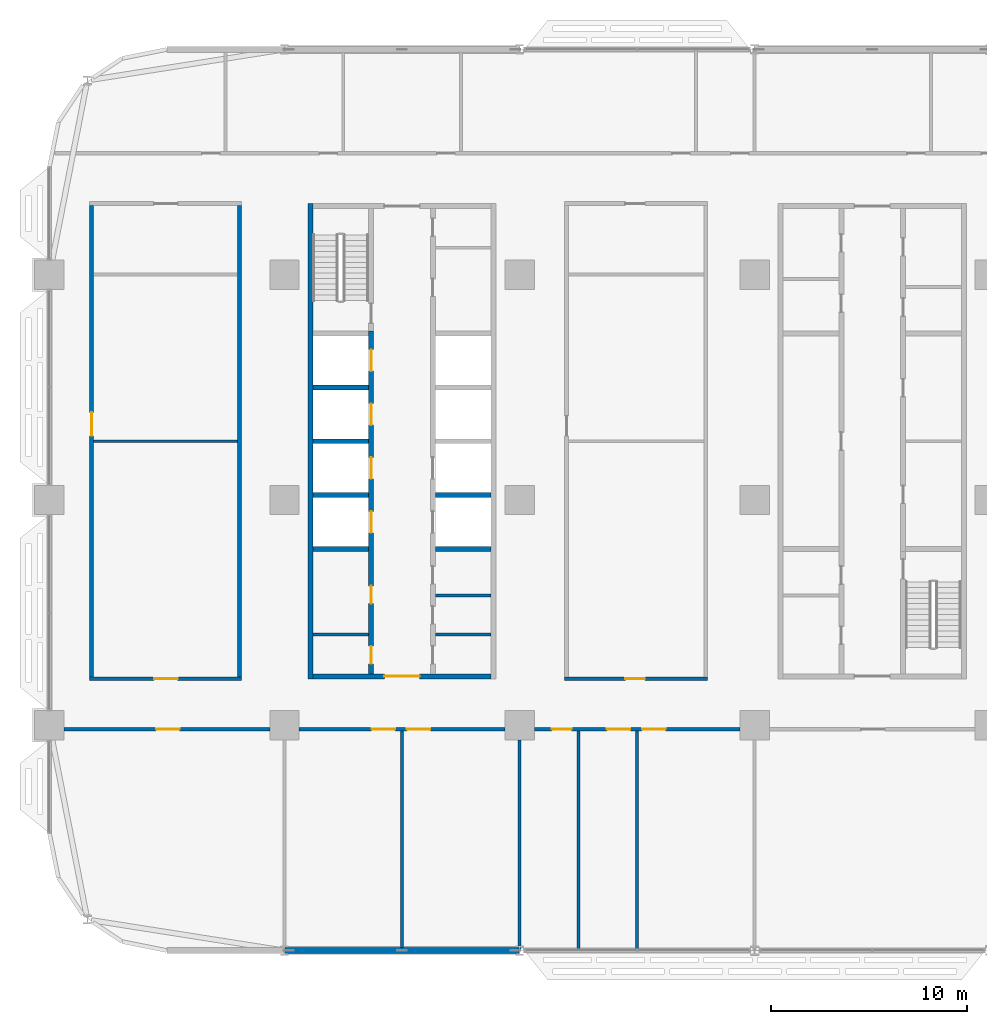
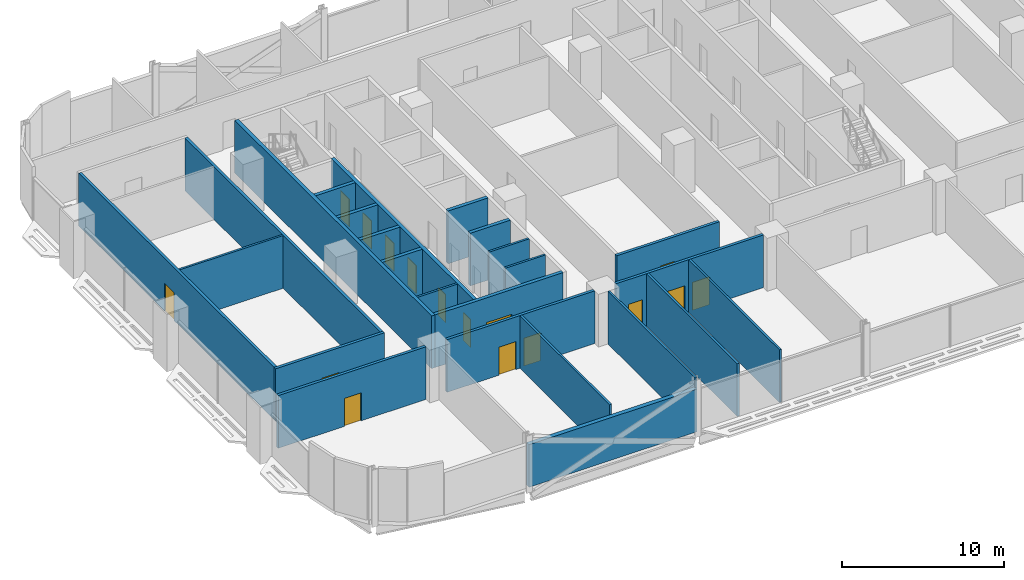
# One storey, part 12 of 29: 25 walls, 16 doors, 16 openings.
"""IFC4 building model written with IfcOpenShell, lengths in metres."""

from ifc_helpers import new_model, si_unit, direction, frame, frame_2d, origin, place, context, subcontext, project, spatial, rectangle, extrude, material, layer, layer_set, type_object, element, fill, save


model = new_model("IFC4")

# Units and contexts
model_context = context("Model", 3, precision=1e-05, world=origin(), true_north=direction((0.0, 1.0)))
body_context = subcontext(model_context, "Body", "Model", "MODEL_VIEW")
ifc_project = project(units=[si_unit("LENGTHUNIT", "METRE"), si_unit("AREAUNIT", "SQUARE_METRE"), si_unit("VOLUMEUNIT", "CUBIC_METRE"), si_unit("PLANEANGLEUNIT", "RADIAN"), si_unit("MASSUNIT", "GRAM", prefix="KILO")], contexts=[model_context])

# Site, building, storey
site_placement = place(None, origin())
site = spatial("IfcSite", under=ifc_project, at=site_placement, CompositionType="ELEMENT")
building_placement = place(site_placement, origin())
building = spatial("IfcBuilding", under=site, at=building_placement, Name="Mahtab Terrace Research Tower", CompositionType="ELEMENT")
storey_placement = place(building_placement, frame((0.0, 0.0, 54.60009765625)))
storey = spatial("IfcBuildingStorey", under=building, at=storey_placement, Name="L12", CompositionType="ELEMENT", Elevation=54.60009765625)

# Walls
ifc_material_1 = material(Name="Gypsum board partition")
ifc_layer_1 = layer(ifc_material_1, 0.14990234375)
ifc_layer_set_1 = layer_set([ifc_layer_1], Name="Core partition 150")
wall_type_1 = type_object("IfcWallType", Name="Core partition 150", PredefinedType="PARTITIONING", material=ifc_layer_set_1)
for number, where, z_axis, x_axis, name in (
    (1, (-28.550048828125, -6.875, 0.0), (0.0, 0.0, 1.0), (1.0, 0.0, 0.0), "Core wall A pWS-988"),
    (2, (-22.300048828125, -6.875, 0.0), (0.0, 0.0, 1.0), (1.0, 0.0, 0.0), "Core wall A pES-988"),
    (3, (-22.300048828125, -4.875, 0.0), (0.0, 0.0, 1.0), (1.0, 0.0, 0.0), "Core wall A pES-788"),
):
    element("IfcWall", number, at=place(storey_placement, frame(where, z_axis=z_axis, x_axis=x_axis)), inside=storey, type_object=wall_type_1, Name=name, PredefinedType="PARTITIONING", context=body_context, shape_type="SweptSolid", body=[
        extrude(rectangle(XDim=2.85009765625, YDim=0.14990234375, at=frame_2d((1.425048828125, 0.0))), origin(), (0.0, 0.0, 1.0), 3.9599609375),
    ])
ifc_material_2 = material(Name="Concrete C70/85", Category="concrete")
ifc_layer_2 = layer(ifc_material_2, 0.25)
ifc_layer_set_2 = layer_set([ifc_layer_2], Name="Core wall 250")
wall_type_2 = type_object("IfcWallType", Name="Core wall 250", PredefinedType="SOLIDWALL", material=ifc_layer_set_2)
wall_1_placement = place(storey_placement, frame((-28.675048828125, 15.125, 0.0), z_axis=(0.0, 0.0, 1.0), x_axis=(0.0, -1.0, 0.0)))
element("IfcWall", 4, at=wall_1_placement, inside=storey, type_object=wall_type_2, Name="Core wall A outerW", PredefinedType="SOLIDWALL", context=body_context, shape_type="SweptSolid", body=[
    extrude(rectangle(XDim=24.25, YDim=0.25, at=frame_2d((12.125, 0.0))), origin(), (0.0, 0.0, 1.0), 3.9599609375),
])

# Wall, opening, door
wall_2_placement = place(storey_placement, frame((-19.449951171875, -9.0, 0.0), z_axis=(0.0, 0.0, 1.0), x_axis=(-1.0, 0.0, 0.0)))
wall_2 = element("IfcWall", 5, at=wall_2_placement, inside=storey, type_object=wall_type_2, Name="Core wall A endS", PredefinedType="SOLIDWALL", context=body_context, shape_type="SweptSolid", body=[
    extrude(rectangle(XDim=9.10009765625, YDim=0.25, at=frame_2d((4.550048828125, 0.0))), origin(), (0.0, 0.0, 1.0), 3.9599609375),
])
opening_1_placement = place(wall_2_placement, frame((3.64990234375, 0.0, 0.0)))
opening_1 = element("IfcOpeningElement", 6, at=opening_1_placement, cuts=wall_2, Name="Opening A-S1", PredefinedType="OPENING", context=body_context, shape_type="SweptSolid", body=[
    extrude(rectangle(XDim=1.800048828125, YDim=2.10009765625, at=frame_2d((0.89990234375, 1.050048828125))), frame((0.0, 0.135009765625, 0.0), z_axis=(0.0, -1.0, 0.0), x_axis=(1.0, 0.0, 0.0)), (0.0, 0.0, 1.0), 0.27001953125),
])
ifc_material_3 = material(Name="Steel fire door", Category="steel")
door_type_1 = type_object("IfcDoorType", Name="Lobby double door 1800x2100 1 HR", OperationType="DOUBLE_DOOR_SINGLE_SWING", PredefinedType="DOOR", material=ifc_material_3)
door_1_placement = place(opening_1_placement, origin())
door_1 = element("IfcDoor", 7, at=door_1_placement, inside=storey, type_object=door_type_1, Name="Core entrance door A S", OperationType="DOUBLE_DOOR_SINGLE_SWING", OverallHeight=2.10009765625, OverallWidth=1.800048828125, PredefinedType="DOOR", context=body_context, shape_type="SweptSolid", body=[
    extrude(rectangle(XDim=1.800048828125, YDim=2.10009765625, at=frame_2d((0.89990234375, 1.050048828125))), frame((0.0, 0.02490234375, 0.0), z_axis=(0.0, -1.0, 0.0), x_axis=(1.0, 0.0, 0.0)), (0.0, 0.0, 1.0), 0.050048828125),
])
fill(opening_1, door_1)

# Wall, openings, doors
wall_3_placement = place(storey_placement, frame((-25.574951171875, -8.875, 0.0), z_axis=(0.0, 0.0, 1.0), x_axis=(0.0, 1.0, 0.0)))
wall_3 = element("IfcWall", 8, at=wall_3_placement, inside=storey, type_object=wall_type_2, Name="Core wall A innerWSL", PredefinedType="SOLIDWALL", context=body_context, shape_type="SweptSolid", body=[
    extrude(rectangle(XDim=17.5, YDim=0.25, at=frame_2d((8.75, 0.0))), origin(), (0.0, 0.0, 1.0), 3.9599609375),
])
opening_2_placement = place(wall_3_placement, frame((7.199951171875, 0.0, 0.0)))
opening_2 = element("IfcOpeningElement", 9, at=opening_2_placement, cuts=wall_3, Name="Opening LD01-L12", PredefinedType="OPENING", context=body_context, shape_type="SweptSolid", body=[
    extrude(rectangle(XDim=1.10009765625, YDim=2.10009765625, at=frame_2d((0.550048828125, 1.050048828125))), frame((0.0, 0.135009765625, 0.0), z_axis=(0.0, -1.0, 0.0), x_axis=(1.0, 0.0, 0.0)), (0.0, 0.0, 1.0), 0.27001953125),
])
opening_3_placement = place(wall_3_placement, frame((9.949951171875, 0.0, 0.0)))
opening_3 = element("IfcOpeningElement", 10, at=opening_3_placement, cuts=wall_3, Name="Opening LD02-L12", PredefinedType="OPENING", context=body_context, shape_type="SweptSolid", body=[
    extrude(rectangle(XDim=1.10009765625, YDim=2.10009765625, at=frame_2d((0.550048828125, 1.050048828125))), frame((0.0, 0.135009765625, 0.0), z_axis=(0.0, -1.0, 0.0), x_axis=(1.0, 0.0, 0.0)), (0.0, 0.0, 1.0), 0.27001953125),
])
opening_4_placement = place(wall_3_placement, frame((12.699951171875, 0.0, 0.0)))
opening_4 = element("IfcOpeningElement", 11, at=opening_4_placement, cuts=wall_3, Name="Opening LD03-L12", PredefinedType="OPENING", context=body_context, shape_type="SweptSolid", body=[
    extrude(rectangle(XDim=1.10009765625, YDim=2.10009765625, at=frame_2d((0.550048828125, 1.050048828125))), frame((0.0, 0.135009765625, 0.0), z_axis=(0.0, -1.0, 0.0), x_axis=(1.0, 0.0, 0.0)), (0.0, 0.0, 1.0), 0.27001953125),
])
opening_5_placement = place(wall_3_placement, frame((15.449951171875, 0.0, 0.0)))
opening_5 = element("IfcOpeningElement", 12, at=opening_5_placement, cuts=wall_3, Name="Opening LD04-L12", PredefinedType="OPENING", context=body_context, shape_type="SweptSolid", body=[
    extrude(rectangle(XDim=1.10009765625, YDim=2.10009765625, at=frame_2d((0.550048828125, 1.050048828125))), frame((0.0, 0.135009765625, 0.0), z_axis=(0.0, -1.0, 0.0), x_axis=(1.0, 0.0, 0.0)), (0.0, 0.0, 1.0), 0.27001953125),
])
opening_6_placement = place(wall_3_placement, frame((0.512451171875, 0.0, 0.0)))
opening_6 = element("IfcOpeningElement", 13, at=opening_6_placement, cuts=wall_3, Name="Opening A-R1", PredefinedType="OPENING", context=body_context, shape_type="SweptSolid", body=[
    extrude(rectangle(XDim=0.89990234375, YDim=2.10009765625, at=frame_2d((0.449951171875, 1.050048828125))), frame((0.0, 0.135009765625, 0.0), z_axis=(0.0, -1.0, 0.0), x_axis=(1.0, 0.0, 0.0)), (0.0, 0.0, 1.0), 0.27001953125),
])
opening_7_placement = place(wall_3_placement, frame((3.58740234375, 0.0, 0.0)))
opening_7 = element("IfcOpeningElement", 14, at=opening_7_placement, cuts=wall_3, Name="Opening A-R2", PredefinedType="OPENING", context=body_context, shape_type="SweptSolid", body=[
    extrude(rectangle(XDim=0.89990234375, YDim=2.10009765625, at=frame_2d((0.449951171875, 1.050048828125))), frame((0.0, 0.135009765625, 0.0), z_axis=(0.0, -1.0, 0.0), x_axis=(1.0, 0.0, 0.0)), (0.0, 0.0, 1.0), 0.27001953125),
])
ifc_material_4 = material(Name="Stainless steel AISI 304", Category="steel")
door_type_2 = type_object("IfcDoorType", Name="Landing door 1100x2100", OperationType="DOUBLE_DOOR_SLIDING", PredefinedType="DOOR", material=ifc_material_4)
door_2_placement = place(opening_2_placement, origin())
door_2 = element("IfcDoor", 15, at=door_2_placement, inside=storey, type_object=door_type_2, Name="Landing door LR1 L12", OperationType="DOUBLE_DOOR_SLIDING", OverallHeight=2.10009765625, OverallWidth=1.10009765625, PredefinedType="DOOR", context=body_context, shape_type="SweptSolid", body=[
    extrude(rectangle(XDim=1.10009765625, YDim=2.10009765625, at=frame_2d((0.550048828125, 1.050048828125))), frame((0.0, 0.02490234375, 0.0), z_axis=(0.0, -1.0, 0.0), x_axis=(1.0, 0.0, 0.0)), (0.0, 0.0, 1.0), 0.050048828125),
])
fill(opening_2, door_2)
door_3_placement = place(opening_3_placement, origin())
door_3 = element("IfcDoor", 16, at=door_3_placement, inside=storey, type_object=door_type_2, Name="Landing door LR2 L12", OperationType="DOUBLE_DOOR_SLIDING", OverallHeight=2.10009765625, OverallWidth=1.10009765625, PredefinedType="DOOR", context=body_context, shape_type="SweptSolid", body=[
    extrude(rectangle(XDim=1.10009765625, YDim=2.10009765625, at=frame_2d((0.550048828125, 1.050048828125))), frame((0.0, 0.02490234375, 0.0), z_axis=(0.0, -1.0, 0.0), x_axis=(1.0, 0.0, 0.0)), (0.0, 0.0, 1.0), 0.050048828125),
])
fill(opening_3, door_3)
door_4_placement = place(opening_4_placement, origin())
door_4 = element("IfcDoor", 17, at=door_4_placement, inside=storey, type_object=door_type_2, Name="Landing door LR3 L12", OperationType="DOUBLE_DOOR_SLIDING", OverallHeight=2.10009765625, OverallWidth=1.10009765625, PredefinedType="DOOR", context=body_context, shape_type="SweptSolid", body=[
    extrude(rectangle(XDim=1.10009765625, YDim=2.10009765625, at=frame_2d((0.550048828125, 1.050048828125))), frame((0.0, 0.02490234375, 0.0), z_axis=(0.0, -1.0, 0.0), x_axis=(1.0, 0.0, 0.0)), (0.0, 0.0, 1.0), 0.050048828125),
])
fill(opening_4, door_4)
door_5_placement = place(opening_5_placement, origin())
door_5 = element("IfcDoor", 18, at=door_5_placement, inside=storey, type_object=door_type_2, Name="Landing door LR4 L12", OperationType="DOUBLE_DOOR_SLIDING", OverallHeight=2.10009765625, OverallWidth=1.10009765625, PredefinedType="DOOR", context=body_context, shape_type="SweptSolid", body=[
    extrude(rectangle(XDim=1.10009765625, YDim=2.10009765625, at=frame_2d((0.550048828125, 1.050048828125))), frame((0.0, 0.02490234375, 0.0), z_axis=(0.0, -1.0, 0.0), x_axis=(1.0, 0.0, 0.0)), (0.0, 0.0, 1.0), 0.050048828125),
])
fill(opening_5, door_5)
door_type_3 = type_object("IfcDoorType", Name="Room door 900x2100 1 HR", OperationType="NOTDEFINED", PredefinedType="DOOR", material=ifc_material_3)
door_6_placement = place(opening_6_placement, origin())
door_6 = element("IfcDoor", 19, at=door_6_placement, inside=storey, type_object=door_type_3, Name="Accessible WC door", OperationType="SINGLE_SWING_LEFT", OverallHeight=2.10009765625, OverallWidth=0.89990234375, PredefinedType="DOOR", context=body_context, shape_type="SweptSolid", body=[
    extrude(rectangle(XDim=0.89990234375, YDim=2.10009765625, at=frame_2d((0.449951171875, 1.050048828125))), frame((0.0, 0.02490234375, 0.0), z_axis=(0.0, -1.0, 0.0), x_axis=(1.0, 0.0, 0.0)), (0.0, 0.0, 1.0), 0.050048828125),
])
fill(opening_6, door_6)
door_7_placement = place(opening_7_placement, origin())
door_7 = element("IfcDoor", 20, at=door_7_placement, inside=storey, type_object=door_type_3, Name="WC block door", OperationType="SINGLE_SWING_RIGHT", OverallHeight=2.10009765625, OverallWidth=0.89990234375, PredefinedType="DOOR", context=body_context, shape_type="SweptSolid", body=[
    extrude(rectangle(XDim=0.89990234375, YDim=2.10009765625, at=frame_2d((0.449951171875, 1.050048828125))), frame((0.0, 0.02490234375, 0.0), z_axis=(0.0, -1.0, 0.0), x_axis=(1.0, 0.0, 0.0)), (0.0, 0.0, 1.0), 0.050048828125),
])
fill(opening_7, door_7)

# Walls
for number, where, z_axis, x_axis, name in (
    (21, (-28.550048828125, -2.5, 0.0), (0.0, 0.0, 1.0), (1.0, 0.0, 0.0), "Core wall A divW0"),
    (22, (-28.550048828125, 0.25, 0.0), (0.0, 0.0, 1.0), (1.0, 0.0, 0.0), "Core wall A divW1"),
    (23, (-28.550048828125, 3.0, 0.0), (0.0, 0.0, 1.0), (1.0, 0.0, 0.0), "Core wall A divW2"),
    (24, (-28.550048828125, 5.75, 0.0), (0.0, 0.0, 1.0), (1.0, 0.0, 0.0), "Core wall A divW3"),
    (25, (-22.300048828125, -2.5, 0.0), (0.0, 0.0, 1.0), (1.0, 0.0, 0.0), "Core wall A divE0"),
    (26, (-22.300048828125, 0.25, 0.0), (0.0, 0.0, 1.0), (1.0, 0.0, 0.0), "Core wall A divE1"),
):
    element("IfcWall", number, at=place(storey_placement, frame(where, z_axis=z_axis, x_axis=x_axis)), inside=storey, type_object=wall_type_2, Name=name, PredefinedType="SOLIDWALL", context=body_context, shape_type="SweptSolid", body=[
        extrude(rectangle(XDim=2.85009765625, YDim=0.25, at=frame_2d((1.425048828125, 0.0))), origin(), (0.0, 0.0, 1.0), 3.9599609375),
    ])
ifc_material_5 = material(Name="Black aluminium cladding panel", Category="aluminium")
ifc_layer_3 = layer(ifc_material_5, 0.300048828125)
ifc_layer_set_3 = layer_set([ifc_layer_3], Name="Opaque facade wall 300")
wall_type_3 = type_object("IfcWallType", Name="Opaque facade wall 300", PredefinedType="NOTDEFINED", material=ifc_layer_set_3)
wall_4_placement = place(storey_placement, frame((-29.97607421875, -23.0, 0.0), z_axis=(0.0, 0.0, 1.0), x_axis=(1.0, 0.0, 0.0)))
element("IfcWall", 27, at=wall_4_placement, inside=storey, type_object=wall_type_3, Name="Opaque facade wall L12 S24", PredefinedType="NOTDEFINED", context=body_context, shape_type="SweptSolid", body=[
    extrude(rectangle(XDim=11.9521484375, YDim=0.300048828125, at=frame_2d((5.97607421875, 0.0))), origin(), (0.0, 0.0, 1.0), 3.202880859375),
])

# Wall, opening, door
ifc_material_6 = material(Name="Gypsum board corridor wall on steel studs", Category="steel")
ifc_layer_4 = layer(ifc_material_6, 0.199951171875)
ifc_layer_set_4 = layer_set([ifc_layer_4], Name="WALL CORRIDOR 200")
wall_type_4 = type_object("IfcWallType", Name="WALL CORRIDOR 200", PredefinedType="PARTITIONING", material=ifc_layer_set_4)
wall_5_placement = place(storey_placement, frame((-41.25, -11.699951171875, 0.0), z_axis=(0.0, 0.0, 1.0), x_axis=(1.0, 0.0, 0.0)))
wall_5 = element("IfcWall", 28, at=wall_5_placement, inside=storey, type_object=wall_type_4, Name="L12-W001", PredefinedType="PARTITIONING", context=body_context, shape_type="SweptSolid", body=[
    extrude(rectangle(XDim=10.5, YDim=0.199951171875, at=frame_2d((5.25, 0.0))), origin(), (0.0, 0.0, 1.0), 3.9599609375),
])
opening_8_placement = place(wall_5_placement, frame((4.699951171875, 0.0, 0.0)))
opening_8 = element("IfcOpeningElement", 29, at=opening_8_placement, cuts=wall_5, Name="Opening L12-101", PredefinedType="OPENING", context=body_context, shape_type="SweptSolid", body=[
    extrude(rectangle(XDim=1.199951171875, YDim=2.10009765625, at=frame_2d((0.60009765625, 1.050048828125))), frame((0.0, 0.10986328125, 0.0), z_axis=(0.0, -1.0, 0.0), x_axis=(1.0, 0.0, 0.0)), (0.0, 0.0, 1.0), 0.219970703125),
])
ifc_material_7 = material(Name="Timber door leaf in steel frame", Category="steel")
door_type_4 = type_object("IfcDoorType", Name="DOOR 1200X2100 FD30S", OperationType="SINGLE_SWING_LEFT", PredefinedType="DOOR", material=ifc_material_7)
door_8_placement = place(opening_8_placement, origin())
door_8 = element("IfcDoor", 30, at=door_8_placement, inside=storey, type_object=door_type_4, Name="Door L12-101", OperationType="SINGLE_SWING_LEFT", OverallHeight=2.10009765625, OverallWidth=1.199951171875, PredefinedType="DOOR", context=body_context, shape_type="SweptSolid", body=[
    extrude(rectangle(XDim=1.199951171875, YDim=2.10009765625, at=frame_2d((0.60009765625, 1.050048828125))), frame((0.0, 0.02490234375, 0.0), z_axis=(0.0, -1.0, 0.0), x_axis=(1.0, 0.0, 0.0)), (0.0, 0.0, 1.0), 0.050048828125),
])
fill(opening_8, door_8)

# Wall, openings, doors
wall_6_placement = place(storey_placement, frame((-29.25, -11.699951171875, 0.0), z_axis=(0.0, 0.0, 1.0), x_axis=(1.0, 0.0, 0.0)))
wall_6 = element("IfcWall", 31, at=wall_6_placement, inside=storey, type_object=wall_type_4, Name="L12-W002", PredefinedType="PARTITIONING", context=body_context, shape_type="SweptSolid", body=[
    extrude(rectangle(XDim=10.5, YDim=0.199951171875, at=frame_2d((5.25, 0.0))), origin(), (0.0, 0.0, 1.0), 3.9599609375),
])
opening_9_placement = place(wall_6_placement, frame((3.699951171875, 0.0, 0.0)))
opening_9 = element("IfcOpeningElement", 32, at=opening_9_placement, cuts=wall_6, Name="Opening L12-102", PredefinedType="OPENING", context=body_context, shape_type="SweptSolid", body=[
    extrude(rectangle(XDim=1.199951171875, YDim=2.10009765625, at=frame_2d((0.60009765625, 1.050048828125))), frame((0.0, 0.10986328125, 0.0), z_axis=(0.0, -1.0, 0.0), x_axis=(1.0, 0.0, 0.0)), (0.0, 0.0, 1.0), 0.219970703125),
])
opening_10_placement = place(wall_6_placement, frame((5.5, 0.0, 0.0)))
opening_10 = element("IfcOpeningElement", 33, at=opening_10_placement, cuts=wall_6, Name="Opening L12-103", PredefinedType="OPENING", context=body_context, shape_type="SweptSolid", body=[
    extrude(rectangle(XDim=1.199951171875, YDim=2.10009765625, at=frame_2d((0.60009765625, 1.050048828125))), frame((0.0, 0.10986328125, 0.0), z_axis=(0.0, -1.0, 0.0), x_axis=(1.0, 0.0, 0.0)), (0.0, 0.0, 1.0), 0.219970703125),
])
door_9_placement = place(opening_9_placement, origin())
door_9 = element("IfcDoor", 34, at=door_9_placement, inside=storey, type_object=door_type_4, Name="Door L12-102", OperationType="SINGLE_SWING_RIGHT", OverallHeight=2.10009765625, OverallWidth=1.199951171875, PredefinedType="DOOR", context=body_context, shape_type="SweptSolid", body=[
    extrude(rectangle(XDim=1.199951171875, YDim=2.10009765625, at=frame_2d((0.60009765625, 1.050048828125))), frame((0.0, 0.02490234375, 0.0), z_axis=(0.0, -1.0, 0.0), x_axis=(1.0, 0.0, 0.0)), (0.0, 0.0, 1.0), 0.050048828125),
])
fill(opening_9, door_9)
door_10_placement = place(opening_10_placement, origin())
door_10 = element("IfcDoor", 35, at=door_10_placement, inside=storey, type_object=door_type_4, Name="Door L12-103", OperationType="SINGLE_SWING_LEFT", OverallHeight=2.10009765625, OverallWidth=1.199951171875, PredefinedType="DOOR", context=body_context, shape_type="SweptSolid", body=[
    extrude(rectangle(XDim=1.199951171875, YDim=2.10009765625, at=frame_2d((0.60009765625, 1.050048828125))), frame((0.0, 0.02490234375, 0.0), z_axis=(0.0, -1.0, 0.0), x_axis=(1.0, 0.0, 0.0)), (0.0, 0.0, 1.0), 0.050048828125),
])
fill(opening_10, door_10)

wall_7_placement = place(storey_placement, frame((-17.25, -11.699951171875, 0.0), z_axis=(0.0, 0.0, 1.0), x_axis=(1.0, 0.0, 0.0)))
wall_7 = element("IfcWall", 36, at=wall_7_placement, inside=storey, type_object=wall_type_4, Name="L12-W003", PredefinedType="PARTITIONING", context=body_context, shape_type="SweptSolid", body=[
    extrude(rectangle(XDim=10.5, YDim=0.199951171875, at=frame_2d((5.25, 0.0))), origin(), (0.0, 0.0, 1.0), 3.9599609375),
])
opening_11_placement = place(wall_7_placement, frame((0.89990234375, 0.0, 0.0)))
opening_11 = element("IfcOpeningElement", 37, at=opening_11_placement, cuts=wall_7, Name="Opening L12-104", PredefinedType="OPENING", context=body_context, shape_type="SweptSolid", body=[
    extrude(rectangle(XDim=1.0, YDim=2.10009765625, at=frame_2d((0.5, 1.050048828125))), frame((0.0, 0.10986328125, 0.0), z_axis=(0.0, -1.0, 0.0), x_axis=(1.0, 0.0, 0.0)), (0.0, 0.0, 1.0), 0.219970703125),
])
opening_12_placement = place(wall_7_placement, frame((3.699951171875, 0.0, 0.0)))
opening_12 = element("IfcOpeningElement", 38, at=opening_12_placement, cuts=wall_7, Name="Opening L12-105", PredefinedType="OPENING", context=body_context, shape_type="SweptSolid", body=[
    extrude(rectangle(XDim=1.199951171875, YDim=2.10009765625, at=frame_2d((0.60009765625, 1.050048828125))), frame((0.0, 0.10986328125, 0.0), z_axis=(0.0, -1.0, 0.0), x_axis=(1.0, 0.0, 0.0)), (0.0, 0.0, 1.0), 0.219970703125),
])
opening_13_placement = place(wall_7_placement, frame((5.5, 0.0, 0.0)))
opening_13 = element("IfcOpeningElement", 39, at=opening_13_placement, cuts=wall_7, Name="Opening L12-106", PredefinedType="OPENING", context=body_context, shape_type="SweptSolid", body=[
    extrude(rectangle(XDim=1.199951171875, YDim=2.10009765625, at=frame_2d((0.60009765625, 1.050048828125))), frame((0.0, 0.10986328125, 0.0), z_axis=(0.0, -1.0, 0.0), x_axis=(1.0, 0.0, 0.0)), (0.0, 0.0, 1.0), 0.219970703125),
])
door_type_5 = type_object("IfcDoorType", Name="DOOR 1000X2100 FD30S", OperationType="SINGLE_SWING_LEFT", PredefinedType="DOOR", material=ifc_material_7)
door_11_placement = place(opening_11_placement, origin())
door_11 = element("IfcDoor", 40, at=door_11_placement, inside=storey, type_object=door_type_5, Name="Door L12-104", OperationType="SINGLE_SWING_RIGHT", OverallHeight=2.10009765625, OverallWidth=1.0, PredefinedType="DOOR", context=body_context, shape_type="SweptSolid", body=[
    extrude(rectangle(XDim=1.0, YDim=2.10009765625, at=frame_2d((0.5, 1.050048828125))), frame((0.0, 0.02490234375, 0.0), z_axis=(0.0, -1.0, 0.0), x_axis=(1.0, 0.0, 0.0)), (0.0, 0.0, 1.0), 0.050048828125),
])
fill(opening_11, door_11)
door_12_placement = place(opening_12_placement, origin())
door_12 = element("IfcDoor", 41, at=door_12_placement, inside=storey, type_object=door_type_4, Name="Door L12-105", OperationType="SINGLE_SWING_RIGHT", OverallHeight=2.10009765625, OverallWidth=1.199951171875, PredefinedType="DOOR", context=body_context, shape_type="SweptSolid", body=[
    extrude(rectangle(XDim=1.199951171875, YDim=2.10009765625, at=frame_2d((0.60009765625, 1.050048828125))), frame((0.0, 0.02490234375, 0.0), z_axis=(0.0, -1.0, 0.0), x_axis=(1.0, 0.0, 0.0)), (0.0, 0.0, 1.0), 0.050048828125),
])
fill(opening_12, door_12)
door_13_placement = place(opening_13_placement, origin())
door_13 = element("IfcDoor", 42, at=door_13_placement, inside=storey, type_object=door_type_4, Name="Door L12-106", OperationType="SINGLE_SWING_LEFT", OverallHeight=2.10009765625, OverallWidth=1.199951171875, PredefinedType="DOOR", context=body_context, shape_type="SweptSolid", body=[
    extrude(rectangle(XDim=1.199951171875, YDim=2.10009765625, at=frame_2d((0.60009765625, 1.050048828125))), frame((0.0, 0.02490234375, 0.0), z_axis=(0.0, -1.0, 0.0), x_axis=(1.0, 0.0, 0.0)), (0.0, 0.0, 1.0), 0.050048828125),
])
fill(opening_13, door_13)

# Wall, opening, door
wall_8_placement = place(storey_placement, frame((-39.949951171875, -9.125, 0.0), z_axis=(0.0, 0.0, 1.0), x_axis=(1.0, 0.0, 0.0)))
wall_8 = element("IfcWall", 43, at=wall_8_placement, inside=storey, type_object=wall_type_4, Name="L12-W009", PredefinedType="PARTITIONING", context=body_context, shape_type="SweptSolid", body=[
    extrude(rectangle(XDim=7.75, YDim=0.199951171875, at=frame_2d((3.875, 0.0))), origin(), (0.0, 0.0, 1.0), 3.9599609375),
])
opening_14_placement = place(wall_8_placement, frame((3.300048828125, 0.0, 0.0)))
opening_14 = element("IfcOpeningElement", 44, at=opening_14_placement, cuts=wall_8, Name="Opening L12-116", PredefinedType="OPENING", context=body_context, shape_type="SweptSolid", body=[
    extrude(rectangle(XDim=1.199951171875, YDim=2.10009765625, at=frame_2d((0.60009765625, 1.050048828125))), frame((0.0, 0.10986328125, 0.0), z_axis=(0.0, -1.0, 0.0), x_axis=(1.0, 0.0, 0.0)), (0.0, 0.0, 1.0), 0.219970703125),
])
door_14_placement = place(opening_14_placement, origin())
door_14 = element("IfcDoor", 45, at=door_14_placement, inside=storey, type_object=door_type_4, Name="Door L12-116", OperationType="SINGLE_SWING_RIGHT", OverallHeight=2.10009765625, OverallWidth=1.199951171875, PredefinedType="DOOR", context=body_context, shape_type="SweptSolid", body=[
    extrude(rectangle(XDim=1.199951171875, YDim=2.10009765625, at=frame_2d((0.60009765625, 1.050048828125))), frame((0.0, 0.02490234375, 0.0), z_axis=(0.0, -1.0, 0.0), x_axis=(1.0, 0.0, 0.0)), (0.0, 0.0, 1.0), 0.050048828125),
])
fill(opening_14, door_14)

wall_9_placement = place(storey_placement, frame((-15.699951171875, -9.125, 0.0), z_axis=(0.0, 0.0, 1.0), x_axis=(1.0, 0.0, 0.0)))
wall_9 = element("IfcWall", 46, at=wall_9_placement, inside=storey, type_object=wall_type_4, Name="L12-W010", PredefinedType="PARTITIONING", context=body_context, shape_type="SweptSolid", body=[
    extrude(rectangle(XDim=7.300048828125, YDim=0.199951171875, at=frame_2d((3.64990234375, 0.0))), origin(), (0.0, 0.0, 1.0), 3.9599609375),
])
opening_15_placement = place(wall_9_placement, frame((3.10009765625, 0.0, 0.0)))
opening_15 = element("IfcOpeningElement", 47, at=opening_15_placement, cuts=wall_9, Name="Opening L12-117", PredefinedType="OPENING", context=body_context, shape_type="SweptSolid", body=[
    extrude(rectangle(XDim=1.0, YDim=2.10009765625, at=frame_2d((0.5, 1.050048828125))), frame((0.0, 0.10986328125, 0.0), z_axis=(0.0, -1.0, 0.0), x_axis=(1.0, 0.0, 0.0)), (0.0, 0.0, 1.0), 0.219970703125),
])
door_15_placement = place(opening_15_placement, origin())
door_15 = element("IfcDoor", 48, at=door_15_placement, inside=storey, type_object=door_type_5, Name="Door L12-117", OperationType="SINGLE_SWING_LEFT", OverallHeight=2.10009765625, OverallWidth=1.0, PredefinedType="DOOR", context=body_context, shape_type="SweptSolid", body=[
    extrude(rectangle(XDim=1.0, YDim=2.10009765625, at=frame_2d((0.5, 1.050048828125))), frame((0.0, 0.02490234375, 0.0), z_axis=(0.0, -1.0, 0.0), x_axis=(1.0, 0.0, 0.0)), (0.0, 0.0, 1.0), 0.050048828125),
])
fill(opening_15, door_15)

wall_10_placement = place(storey_placement, frame((-39.85009765625, -9.02490234375, 0.0), z_axis=(0.0, 0.0, 1.0), x_axis=(0.0, 1.0, 0.0)))
wall_10 = element("IfcWall", 49, at=wall_10_placement, inside=storey, type_object=wall_type_4, Name="L12-W027", PredefinedType="PARTITIONING", context=body_context, shape_type="SweptSolid", body=[
    extrude(rectangle(XDim=24.0498046875, YDim=0.199951171875, at=frame_2d((12.02490234375, 0.0))), origin(), (0.0, 0.0, 1.0), 3.9599609375),
])
opening_16_placement = place(wall_10_placement, frame((12.300048828125, 0.0, 0.0)))
opening_16 = element("IfcOpeningElement", 50, at=opening_16_placement, cuts=wall_10, Name="Opening L12-121", PredefinedType="OPENING", context=body_context, shape_type="SweptSolid", body=[
    extrude(rectangle(XDim=1.199951171875, YDim=2.10009765625, at=frame_2d((0.60009765625, 1.050048828125))), frame((0.0, 0.10986328125, 0.0), z_axis=(0.0, -1.0, 0.0), x_axis=(1.0, 0.0, 0.0)), (0.0, 0.0, 1.0), 0.219970703125),
])
door_16_placement = place(opening_16_placement, origin())
door_16 = element("IfcDoor", 51, at=door_16_placement, inside=storey, type_object=door_type_4, Name="Door L12-121", OperationType="SINGLE_SWING_LEFT", OverallHeight=2.10009765625, OverallWidth=1.199951171875, PredefinedType="DOOR", context=body_context, shape_type="SweptSolid", body=[
    extrude(rectangle(XDim=1.199951171875, YDim=2.10009765625, at=frame_2d((0.60009765625, 1.050048828125))), frame((0.0, 0.02490234375, 0.0), z_axis=(0.0, -1.0, 0.0), x_axis=(1.0, 0.0, 0.0)), (0.0, 0.0, 1.0), 0.050048828125),
])
fill(opening_16, door_16)

# Walls
wall_11_placement = place(storey_placement, frame((-32.300048828125, -9.02490234375, 0.0), z_axis=(0.0, 0.0, 1.0), x_axis=(0.0, 1.0, 0.0)))
element("IfcWall", 52, at=wall_11_placement, inside=storey, type_object=wall_type_4, Name="L12-W029", PredefinedType="PARTITIONING", context=body_context, shape_type="SweptSolid", body=[
    extrude(rectangle(XDim=24.0498046875, YDim=0.199951171875, at=frame_2d((12.02490234375, 0.0))), origin(), (0.0, 0.0, 1.0), 3.9599609375),
])
ifc_material_8 = material(Name="Gypsum board partition on steel studs", Category="steel")
ifc_layer_5 = layer(ifc_material_8, 0.14990234375)
ifc_layer_set_5 = layer_set([ifc_layer_5], Name="WALL PARTITION 150")
wall_type_5 = type_object("IfcWallType", Name="WALL PARTITION 150", PredefinedType="PARTITIONING", material=ifc_layer_set_5)
wall_12_placement = place(storey_placement, frame((-39.75, 3.0, 0.0), z_axis=(0.0, 0.0, 1.0), x_axis=(1.0, 0.0, 0.0)))
element("IfcWall", 53, at=wall_12_placement, inside=storey, type_object=wall_type_5, Name="L12-W013", PredefinedType="PARTITIONING", context=body_context, shape_type="SweptSolid", body=[
    extrude(rectangle(XDim=7.35009765625, YDim=0.14990234375, at=frame_2d((3.675048828125, 0.0))), origin(), (0.0, 0.0, 1.0), 3.9599609375),
])
wall_13_placement = place(storey_placement, frame((-24.0, -22.85009765625, 0.0), z_axis=(0.0, 0.0, 1.0), x_axis=(0.0, 1.0, 0.0)))
element("IfcWall", 54, at=wall_13_placement, inside=storey, type_object=wall_type_5, Name="L12-W032", PredefinedType="PARTITIONING", context=body_context, shape_type="SweptSolid", body=[
    extrude(rectangle(XDim=11.050048828125, YDim=0.14990234375, at=frame_2d((5.52490234375, 0.0))), origin(), (0.0, 0.0, 1.0), 3.9599609375),
])
wall_14_placement = place(storey_placement, frame((-18.0, -22.97509765625, 0.0), z_axis=(0.0, 0.0, 1.0), x_axis=(0.0, 1.0, 0.0)))
element("IfcWall", 55, at=wall_14_placement, inside=storey, type_object=wall_type_5, Name="L12-W034", PredefinedType="PARTITIONING", context=body_context, shape_type="SweptSolid", body=[
    extrude(rectangle(XDim=10.72509765625, YDim=0.14990234375, at=frame_2d((5.362548828125, 0.0))), origin(), (0.0, 0.0, 1.0), 3.9599609375),
])
for number, where, z_axis, x_axis, name in (
    (56, (-15.0, -22.97509765625, 0.0), (0.0, 0.0, 1.0), (0.0, 1.0, 0.0), "L12-W036"),
    (57, (-12.0, -22.97509765625, 0.0), (0.0, 0.0, 1.0), (0.0, 1.0, 0.0), "L12-W037"),
):
    element("IfcWall", number, at=place(storey_placement, frame(where, z_axis=z_axis, x_axis=x_axis)), inside=storey, type_object=wall_type_5, Name=name, PredefinedType="PARTITIONING", context=body_context, shape_type="SweptSolid", body=[
        extrude(rectangle(XDim=11.175048828125, YDim=0.14990234375, at=frame_2d((5.58740234375, 0.0))), origin(), (0.0, 0.0, 1.0), 3.9599609375),
    ])

save(model, "model.ifc")
